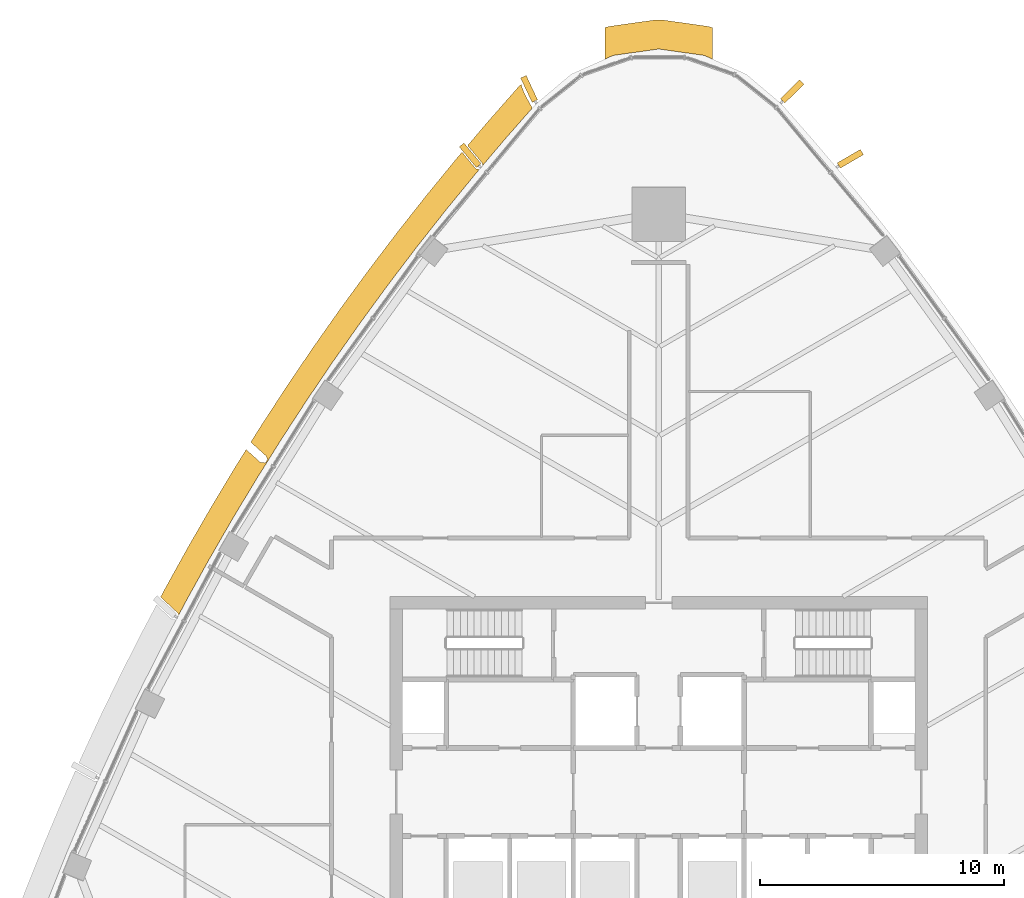
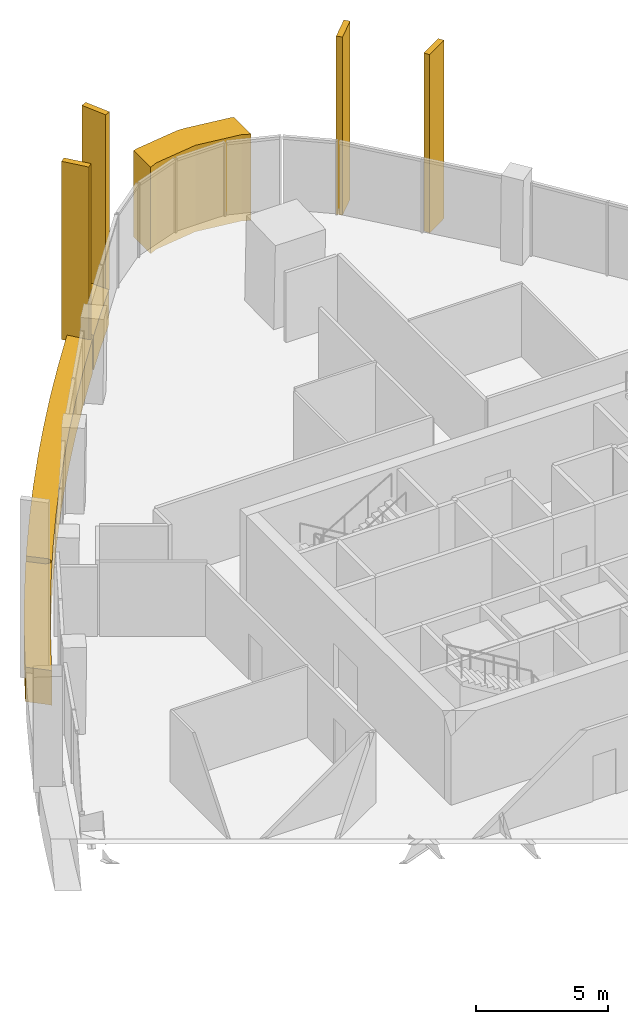
# One storey, part 18 of 19: 7 coverings.
"""IFC4 building model written with IfcOpenShell, lengths in metres."""

from ifc_helpers import new_model, si_unit, direction, frame, origin, origin_2d, place, context, subcontext, project, spatial, polyline, rectangle, outline, extrude, material, layer, layer_set, material_profile, profile_set, type_object, element, save


model = new_model("IFC4")

# Units and contexts
model_context = context("Model", 3, precision=1e-05, world=origin(), true_north=direction((0.0, 1.0)))
body_context = subcontext(model_context, "Body", "Model", "MODEL_VIEW")
ifc_project = project(units=[si_unit("LENGTHUNIT", "METRE"), si_unit("AREAUNIT", "SQUARE_METRE"), si_unit("VOLUMEUNIT", "CUBIC_METRE"), si_unit("PLANEANGLEUNIT", "RADIAN"), si_unit("MASSUNIT", "GRAM", prefix="KILO")], contexts=[model_context])

# Site, building, storey
site_placement = place(None, origin())
site = spatial("IfcSite", under=ifc_project, at=site_placement, CompositionType="ELEMENT")
building_placement = place(site_placement, origin())
building = spatial("IfcBuilding", under=site, at=building_placement, Name="Sierra Prisma Convention Tower", CompositionType="ELEMENT")
storey_placement = place(building_placement, frame((0.0, 0.0, 295.0)))
storey = spatial("IfcBuildingStorey", under=building, at=storey_placement, Name="L67", CompositionType="ELEMENT", Elevation=295.0)

# Coverings
ifc_material_1 = material(Name="Aluminium composite bronze anodised", Category="aluminium")
ifc_layer_1 = layer(ifc_material_1, 1.199951171875)
ifc_layer_set_1 = layer_set([ifc_layer_1], Name="Bronze corner pier")
covering_type_1 = type_object("IfcCoveringType", Name="Bronze corner pier", PredefinedType="CLADDING", material=ifc_layer_set_1)
covering_1_placement = place(storey_placement, frame((0.0, 0.0, -0.60009765625)))
element("IfcCovering", 1, at=covering_1_placement, inside=storey, type_object=covering_type_1, Name="Corner pier N L67.1", PredefinedType="CLADDING", context=body_context, shape_type="SweptSolid", body=[
    extrude(outline(polyline([(2.199951171875, 31.30419921875), (2.199951171875, 30.01416015625), (1.86474609375, 30.1640625), (0.0, 30.427001953125), (-1.86474609375, 30.1640625), (-2.199951171875, 30.01416015625), (-2.199951171875, 31.30419921875), (-2.0322265625, 31.352294921875), (-0.16748046875, 31.615234375), (0.16748046875, 31.615234375), (2.0322265625, 31.352294921875), (2.199951171875, 31.30419921875)])), origin(), (0.0, 0.0, 1.0), 4.0),
])
ifc_material_2 = material(Name="Aluminium 6063-T6 bronze anodised", Category="aluminium")
ifc_material_profile = material_profile(ifc_material_2, rectangle(XDim=1.10009765625, YDim=0.25, at=origin_2d()), Name="ALU FIN 1100x250")
ifc_profile_set = profile_set([ifc_material_profile], Name="Aluminium 6063-T6 bronze anodised")
covering_type_2 = type_object("IfcCoveringType", Name="Bronze facade fin", PredefinedType="CLADDING", material=ifc_profile_set)
for number, where, z_axis, x_axis, name in (
    (2, (7.845947265625, 25.9296875, -0.300048828125), (0.0, 0.0, 1.0), (0.863449800401, 0.504434774959, 0.0), "Fin L67.39"),
    (3, (5.464111328125, 28.68408203125, -0.300048828125), (0.0, 0.0, 1.0), (0.708771775693, 0.705437856924, 0.0), "Fin L67.40"),
    (4, (-5.307861328125, 28.7939453125, -0.300048828125), (0.0, 0.0, 1.0), (-0.424753650507, 0.905308972882, 0.0), "Fin L67.45"),
    (5, (-7.722412109375, 26.075439453125, -0.300048828125), (0.0, 0.0, 1.0), (-0.638850551826, 0.769330860184, 0.0), "Fin L67.46"),
):
    element("IfcCovering", number, at=place(storey_placement, frame(where, z_axis=z_axis, x_axis=x_axis)), inside=storey, type_object=covering_type_2, Name=name, ObjectType="FIN", PredefinedType="CLADDING", context=body_context, shape_type="SweptSolid", body=[
        extrude(rectangle(XDim=1.10009765625, YDim=0.25, at=origin_2d()), origin(), (0.0, 0.0, 1.0), 8.25),
    ])
ifc_material_3 = material(Name="Aluminium composite bronze anodised", Category="aluminium")
ifc_layer_2 = layer(ifc_material_3, 1.0)
ifc_layer_set_2 = layer_set([ifc_layer_2], Name="Bronze spandrel band")
covering_type_3 = type_object("IfcCoveringType", Name="Bronze spandrel band", PredefinedType="CLADDING", material=ifc_layer_set_2)
covering_2_placement = place(storey_placement, frame((0.0, 0.0, -1.60009765625)))
element("IfcCovering", 6, at=covering_2_placement, inside=storey, type_object=covering_type_3, Name="Spandrel band L67.5", PredefinedType="CLADDING", context=body_context, shape_type="SweptSolid", body=[
    extrude(outline(polyline([(-16.895263671875, 14.02392578125), (-16.32421875, 13.5087890625), (-16.320556640625, 13.505859375), (-16.316650390625, 13.503173828125), (-16.312744140625, 13.5009765625), (-16.308349609375, 13.4990234375), (-16.303955078125, 13.497802734375), (-16.29931640625, 13.49658203125), (-16.294921875, 13.49609375), (-16.135986328125, 13.48291015625), (-16.131103515625, 13.482666015625), (-16.1259765625, 13.48291015625), (-16.12109375, 13.48388671875), (-16.1162109375, 13.485107421875), (-16.11181640625, 13.48681640625), (-16.107177734375, 13.489013671875), (-16.10302734375, 13.49169921875), (-16.09912109375, 13.494873046875), (-16.095458984375, 13.498291015625), (-16.09228515625, 13.501953125), (-16.08935546875, 13.506103515625), (-16.036376953125, 13.5908203125), (-16.03369140625, 13.595458984375), (-16.03173828125, 13.60009765625), (-16.0302734375, 13.60498046875), (-16.029296875, 13.610107421875), (-16.02880859375, 13.615234375), (-16.02880859375, 13.620361328125), (-16.029296875, 13.62548828125), (-16.030517578125, 13.630615234375), (-16.031982421875, 13.635498046875), (-16.07666015625, 13.749755859375), (-16.07861328125, 13.75390625), (-16.080810546875, 13.758056640625), (-16.08349609375, 13.76171875), (-16.08642578125, 13.765380859375), (-16.089599609375, 13.7685546875), (-16.706787109375, 14.3251953125), (-16.294921875, 14.982666015625), (-16.28515625, 14.997802734375), (-15.23828125, 16.6044921875), (-15.228515625, 16.619384765625), (-14.153076171875, 18.206787109375), (-14.142822265625, 18.221435546875), (-13.0390625, 19.789306640625), (-13.028564453125, 19.803955078125), (-11.896728515625, 21.351806640625), (-11.885986328125, 21.3662109375), (-10.7265625, 22.893310546875), (-10.715576171875, 22.90771484375), (-9.52880859375, 24.413818359375), (-9.517578125, 24.427734375), (-8.303955078125, 25.912109375), (-8.29248046875, 25.926025390625), (-8.056640625, 26.2041015625), (-7.505615234375, 25.540283203125), (-7.50244140625, 25.537109375), (-7.4990234375, 25.533935546875), (-7.495361328125, 25.531005859375), (-7.491455078125, 25.528564453125), (-7.4873046875, 25.526611328125), (-7.48291015625, 25.52490234375), (-7.478515625, 25.523681640625), (-7.34814453125, 25.49365234375), (-7.52978515625, 25.279296875), (-8.743408203125, 23.794921875), (-9.929931640625, 22.288818359375), (-11.089599609375, 20.761474609375), (-12.22119140625, 19.213623046875), (-13.3251953125, 17.64599609375), (-14.400634765625, 16.058349609375), (-15.447509765625, 14.451904296875), (-16.465087890625, 12.826904296875), (-17.45361328125, 11.183837890625), (-18.412353515625, 9.523193359375), (-19.341064453125, 7.845703125), (-19.6591796875, 7.245849609375), (-19.6875, 7.312255859375), (-19.68994140625, 7.31689453125), (-19.692626953125, 7.3212890625), (-19.69580078125, 7.325439453125), (-19.699462890625, 7.3291015625), (-20.40087890625, 7.981689453125), (-20.224365234375, 8.314208984375), (-20.2158203125, 8.330078125), (-19.287109375, 10.007568359375), (-19.2783203125, 10.023193359375), (-18.319580078125, 11.683837890625), (-18.310302734375, 11.69921875), (-17.322021484375, 13.34228515625), (-17.3125, 13.357666015625), (-16.895263671875, 14.02392578125)])), origin(), (0.0, 0.0, 1.0), 1.60009765625),
])
covering_3_placement = place(storey_placement, frame((0.0, 0.0, -1.60009765625)))
element("IfcCovering", 7, at=covering_3_placement, inside=storey, type_object=covering_type_3, Name="Spandrel band L67.6", PredefinedType="CLADDING", context=body_context, shape_type="SweptSolid", body=[
    extrude(outline(polyline([(-6.289794921875, 26.741943359375), (-7.206787109375, 25.660400390625), (-7.22607421875, 25.743408203125), (-7.227294921875, 25.747802734375), (-7.22900390625, 25.752197265625), (-7.231201171875, 25.75634765625), (-7.2333984375, 25.76025390625), (-7.236328125, 25.763916015625), (-7.826904296875, 26.47509765625), (-7.052490234375, 27.388671875), (-7.040771484375, 27.402099609375), (-5.774658203125, 28.84228515625), (-5.668212890625, 28.9462890625), (-5.631591796875, 28.977294921875), (-5.611328125, 28.900146484375), (-5.526123046875, 28.6708984375), (-5.419189453125, 28.45068359375), (-5.1767578125, 28.0078125), (-6.289794921875, 26.741943359375)])), origin(), (0.0, 0.0, 1.0), 1.60009765625),
])

save(model, "model.ifc")
